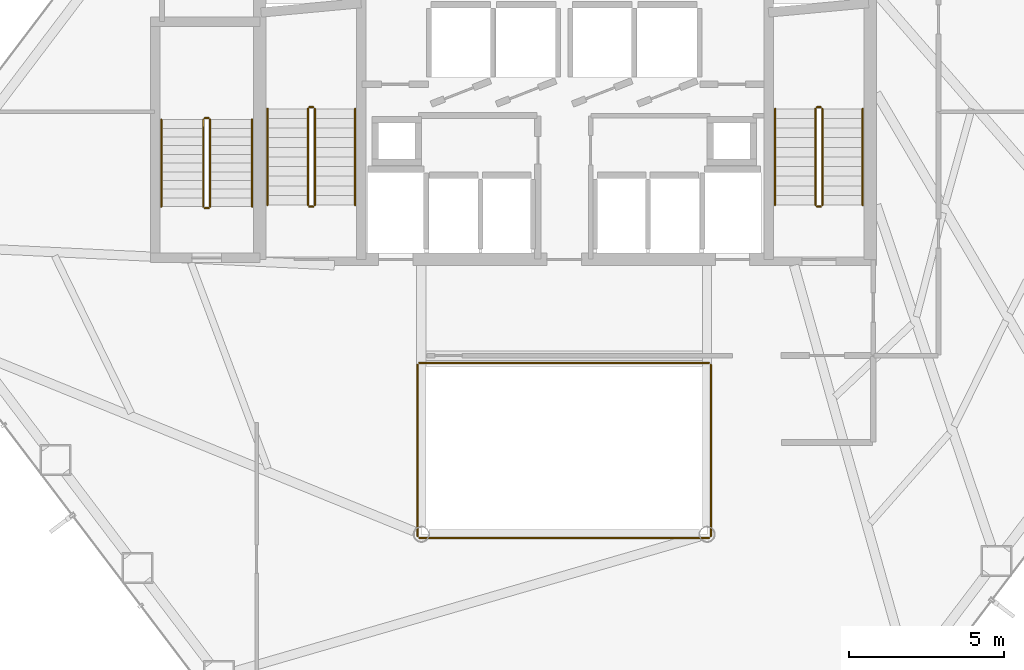
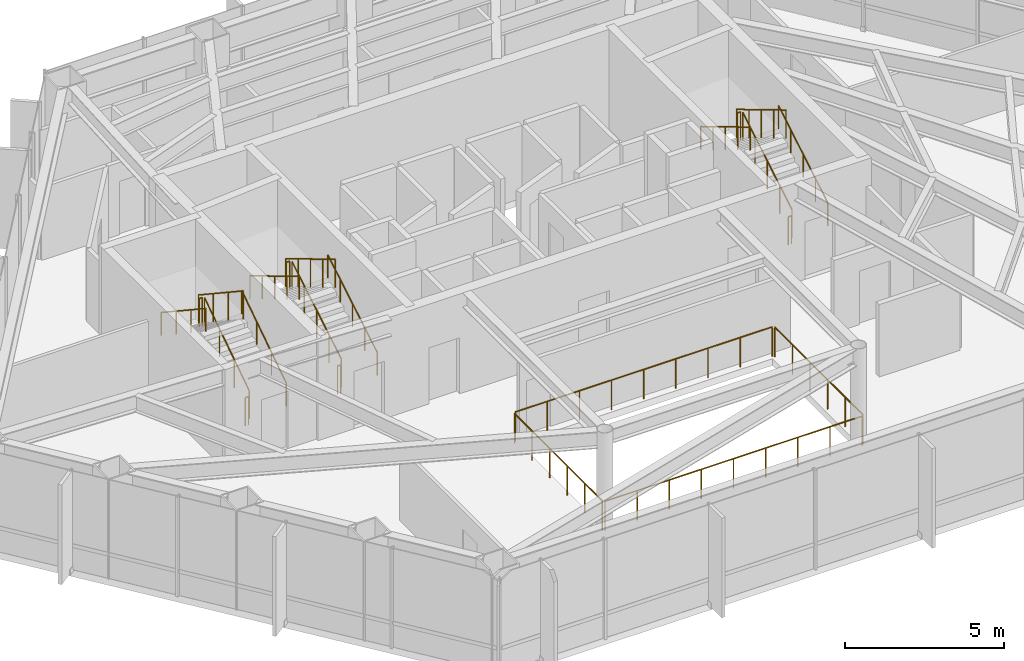
# One storey, part 26 of 26: 22 railings.
"""IFC4 building model written with IfcOpenShell, lengths in metres."""

import ifcopenshell
import ifcopenshell.guid

model = None  # the IFC model being written
_history = None  # IfcOwnerHistory: only IFC2X3 demands one
_inside = {}  # id of a spatial element -> (the spatial element, [elements in it])
_under = {}  # id of a project, library or spatial element -> (it, [spatial elements below it])
_declared = {}  # id of a project -> (the project, [libraries it declares])
_typed = {}  # id of a type object -> (the type object, [elements of that type])
_made_of = {}  # id of a material, layer set ... -> (it, [elements and type objects made of it])


def new_model(schema):
    """Start an empty IFC model of exactly this schema.

    Asked for "IFC4X3", IfcOpenShell would pick the latest addendum, in which some entities
    have other attributes; the version numbers below select the first issue.
    IFC2X3 requires an IfcOwnerHistory on every rooted entity: one is made here for all.
    """
    global model, _history
    if schema == "IFC4X3":
        model = ifcopenshell.file(schema_version=(4, 3, 0, 0))
    else:
        model = ifcopenshell.file(schema=schema)
    _inside.clear()
    _under.clear()
    _declared.clear()
    _typed.clear()
    _made_of.clear()
    _history = None
    if model.schema == "IFC2X3":
        org = make("IfcOrganization", Name="unknown")
        user = make(
            "IfcPersonAndOrganization",
            ThePerson=make("IfcPerson", FamilyName="unknown"),
            TheOrganization=org,
        )
        app = make(
            "IfcApplication",
            ApplicationDeveloper=org,
            Version="unknown",
            ApplicationFullName="unknown",
            ApplicationIdentifier="unknown",
        )
        _history = make(
            "IfcOwnerHistory",
            OwningUser=user,
            OwningApplication=app,
            ChangeAction="ADDED",
            CreationDate=0,
        )
    return model


def make(cls, **values):
    """One entity of the class cls with the attributes given. An attribute that is None is left unset."""
    return model.create_entity(
        cls, **{name: value for name, value in values.items() if value is not None}
    )


def rooted(cls, **values):
    """An entity with a GlobalId (a new one), such as an element, a storey or a relation."""
    return make(cls, GlobalId=ifcopenshell.guid.new(), OwnerHistory=_history, **values)


def si_unit(unit_type, name, prefix=None):
    """IfcSIUnit, for example si_unit("LENGTHUNIT", "METRE", prefix="MILLI")."""
    return make("IfcSIUnit", UnitType=unit_type, Prefix=prefix, Name=name)


def assignment(units):
    """IfcUnitAssignment: the units of a project."""
    return None if units is None else make("IfcUnitAssignment", Units=units)


def point(xyz):
    """IfcCartesianPoint."""
    return None if xyz is None else make("IfcCartesianPoint", Coordinates=xyz)


def direction(xyz):
    """IfcDirection."""
    return None if xyz is None else make("IfcDirection", DirectionRatios=xyz)


def frame(location, z_axis=None, x_axis=None):
    """IfcAxis2Placement3D, a coordinate frame: its origin and axes. An axis left out is left unset."""
    return make(
        "IfcAxis2Placement3D",
        Location=point(location),
        Axis=direction(z_axis),
        RefDirection=direction(x_axis),
    )


def frame_2d(location, x_axis=None):
    """IfcAxis2Placement2D, a coordinate frame in the plane: its origin and x axis."""
    return make(
        "IfcAxis2Placement2D", Location=point(location), RefDirection=direction(x_axis)
    )


def origin():
    """The frame at (0, 0, 0) with its axes left unset."""
    return frame((0.0, 0.0, 0.0))


def origin_2d():
    """The frame at (0, 0) in the plane with its x axis left unset."""
    return frame_2d((0.0, 0.0))


def place(relative_to, where):
    """IfcLocalPlacement: puts the frame where relative to a parent placement (None: the world)."""
    return make(
        "IfcLocalPlacement", PlacementRelTo=relative_to, RelativePlacement=where
    )


def context(
    kind, dimensions, precision=None, world=None, true_north=None, identifier=None
):
    """IfcGeometricRepresentationContext, for example the 3D "Model" context."""
    return make(
        "IfcGeometricRepresentationContext",
        ContextIdentifier=identifier,
        ContextType=kind,
        CoordinateSpaceDimension=dimensions,
        Precision=precision,
        WorldCoordinateSystem=world,
        TrueNorth=true_north,
    )


def subcontext(parent, identifier, kind, view, scale=None):
    """IfcGeometricRepresentationSubContext, for example "Body" below "Model"."""
    return make(
        "IfcGeometricRepresentationSubContext",
        ContextIdentifier=identifier,
        ContextType=kind,
        ParentContext=parent,
        TargetScale=scale,
        TargetView=view,
    )


def project(units=None, contexts=None):
    """IfcProject with its units and contexts."""
    return rooted(
        "IfcProject",
        Name="project",
        RepresentationContexts=contexts,
        UnitsInContext=assignment(units),
    )


def spatial(cls, under=None, at=None, **own):
    """A site, building, storey or space (cls), placed at a placement, below another one or the project."""
    s = rooted(cls, ObjectPlacement=at, **own)
    if under is not None:
        _under.setdefault(under.id(), (under, []))[1].append(s)
    return s


def profile(cls, at=None, kind="AREA", **sizes):
    """A parametric profile (cls). Its sizes go by their IFC names, for example OverallWidth=200.0."""
    return make(cls, ProfileType=kind, Position=at, **sizes)


def circle(**sizes):
    """IfcCircleProfileDef."""
    return profile("IfcCircleProfileDef", **sizes)


def extrude(swept, where, along, depth):
    """IfcExtrudedAreaSolid: the profile swept, set in the frame where, extruded along a direction by depth."""
    return make(
        "IfcExtrudedAreaSolid",
        SweptArea=swept,
        Position=where,
        ExtrudedDirection=direction(along),
        Depth=depth,
    )


def shape(context_of_items, identifier, shape_type, items):
    """IfcShapeRepresentation: the items that make up one representation, for example the "Body"."""
    return make(
        "IfcShapeRepresentation",
        ContextOfItems=context_of_items,
        RepresentationIdentifier=identifier,
        RepresentationType=shape_type,
        Items=items,
    )


def material(Name=None, Category=None):
    """IfcMaterial."""
    return make("IfcMaterial", Name=Name, Category=Category)


def made_of(thing, what):
    """Note that an element or type object is made of a material, layer set ...; save() writes the relation."""
    if what is not None:
        _made_of.setdefault(what.id(), (what, []))[1].append(thing)
    return thing


def type_object(cls, material=None, **own):
    """A type object (cls), such as IfcWallType, which elements share."""
    return made_of(rooted(cls, **own), material)


def element(
    cls,
    number,
    at=None,
    inside=None,
    cuts=None,
    type_object=None,
    material=None,
    context=None,
    identifier="Body",
    shape_type=None,
    held_by="IfcProductDefinitionShape",
    body=None,
    shapes=None,
    **own,
):
    """One element of the class cls, such as IfcWall. Its Tag is "e" and its number.

    at: its placement. inside: the storey or other place that contains it. cuts: it is an
    opening in that element (IfcRelVoidsElement). A single representation is given by context,
    identifier, shape_type and body (its items); several are given by shapes. held_by: the class
    of the entity that holds the representations. save() writes the other relations.
    """
    e = rooted(cls, Tag="e%d" % number, ObjectPlacement=at, **own)
    if body is not None:
        shapes = [shape(context, identifier, shape_type, body)]
    if shapes is not None:
        e.Representation = make(held_by, Representations=shapes)
    if inside is not None:
        _inside.setdefault(inside.id(), (inside, []))[1].append(e)
    if cuts is not None:
        rooted(
            "IfcRelVoidsElement", RelatingBuildingElement=cuts, RelatedOpeningElement=e
        )
    if type_object is not None:
        _typed.setdefault(type_object.id(), (type_object, []))[1].append(e)
    return made_of(e, material)


def aggregate(whole, parts):
    """IfcRelAggregates: a whole, such as a stair, and the parts it consists of."""
    return rooted("IfcRelAggregates", RelatingObject=whole, RelatedObjects=parts)


def save(model, path):
    """Write the relations noted so far, then the file.

    IfcRelAggregates (storeys below a building ...), IfcRelContainedInSpatialStructure (elements
    in a storey), IfcRelDefinesByType, IfcRelAssociatesMaterial and IfcRelDeclares: one each for
    every whole, place, type object, material and project.
    """
    for whole, parts in _under.values():
        aggregate(whole, parts)
    for where, things in _inside.values():
        rooted(
            "IfcRelContainedInSpatialStructure",
            RelatedElements=things,
            RelatingStructure=where,
        )
    for kind, things in _typed.values():
        rooted("IfcRelDefinesByType", RelatedObjects=things, RelatingType=kind)
    for what, things in _made_of.values():
        rooted("IfcRelAssociatesMaterial", RelatedObjects=things, RelatingMaterial=what)
    for by, libraries in _declared.values():
        rooted("IfcRelDeclares", RelatingContext=by, RelatedDefinitions=libraries)
    model.write(path)


model = new_model("IFC4")

# Units and contexts
model_context = context("Model", 3, precision=1e-05, world=origin(), true_north=direction((0.0, 1.0)))
body_context = subcontext(model_context, "Body", "Model", "MODEL_VIEW")
ifc_project = project(units=[si_unit("LENGTHUNIT", "METRE"), si_unit("AREAUNIT", "SQUARE_METRE"), si_unit("VOLUMEUNIT", "CUBIC_METRE"), si_unit("PLANEANGLEUNIT", "RADIAN"), si_unit("MASSUNIT", "GRAM", prefix="KILO")], contexts=[model_context])

# Site, building, storey
site_placement = place(None, origin())
site = spatial("IfcSite", under=ifc_project, at=site_placement, CompositionType="ELEMENT")
building_placement = place(site_placement, origin())
building = spatial("IfcBuilding", under=site, at=building_placement, Name="Zarrinselat Tower", CompositionType="ELEMENT")
storey_placement = place(building_placement, frame((0.0, 0.0, 31.6201171875)))
storey = spatial("IfcBuildingStorey", under=building, at=storey_placement, Name="L07", CompositionType="ELEMENT", Elevation=31.6201171875)

# Railings
ifc_material_1 = material(Name="Double Low-E Laminated Solar Glass", Category="glass")
railing_type_1 = type_object("IfcRailingType", Name="RLG-ATRIUM-BAL", PredefinedType="BALUSTRADE", material=ifc_material_1)
railing_1_placement = place(storey_placement, frame((33.739990234375, 24.280029296875, 0.0)))
element("IfcRailing", 1, at=railing_1_placement, inside=storey, type_object=railing_type_1, Name="L07 Atrium Void Glass Balustrade S", PredefinedType="BALUSTRADE", context=body_context, shape_type="SweptSolid", body=[
    extrude(circle(Radius=0.02392578125, at=origin_2d()), frame((0.0, 0.0, 1.1259765625), z_axis=(1.0, 0.0, 0.0), x_axis=(0.0, 1.0, 0.0)), (0.0, 0.0, 1.0), 9.320068359375),
    extrude(circle(Radius=0.02099609375, at=origin_2d()), origin(), (0.0, 0.0, 1.0), 1.099853515625),
    extrude(circle(Radius=0.02099609375, at=origin_2d()), frame((1.1650390625, 0.0, 0.0)), (0.0, 0.0, 1.0), 1.099853515625),
    extrude(circle(Radius=0.02099609375, at=origin_2d()), frame((2.330078125, 0.0, 0.0)), (0.0, 0.0, 1.0), 1.099853515625),
    extrude(circle(Radius=0.02099609375, at=origin_2d()), frame((3.4951171875, 0.0, 0.0)), (0.0, 0.0, 1.0), 1.099853515625),
    extrude(circle(Radius=0.02099609375, at=origin_2d()), frame((4.66015625, 0.0, 0.0)), (0.0, 0.0, 1.0), 1.099853515625),
    extrude(circle(Radius=0.02099609375, at=origin_2d()), frame((5.824951171875, 0.0, 0.0)), (0.0, 0.0, 1.0), 1.099853515625),
    extrude(circle(Radius=0.02099609375, at=origin_2d()), frame((6.989990234375, 0.0, 0.0)), (0.0, 0.0, 1.0), 1.099853515625),
    extrude(circle(Radius=0.02099609375, at=origin_2d()), frame((8.155029296875, 0.0, 0.0)), (0.0, 0.0, 1.0), 1.099853515625),
    extrude(circle(Radius=0.02099609375, at=origin_2d()), frame((9.320068359375, 0.0, 0.0)), (0.0, 0.0, 1.0), 1.099853515625),
])
railing_2_placement = place(storey_placement, frame((43.1201171875, 24.340087890625, 0.0)))
element("IfcRailing", 2, at=railing_2_placement, inside=storey, type_object=railing_type_1, Name="L07 Atrium Void Glass Balustrade E", PredefinedType="BALUSTRADE", context=body_context, shape_type="SweptSolid", body=[
    extrude(circle(Radius=0.02392578125, at=origin_2d()), frame((0.0, 0.0, 1.1259765625), z_axis=(0.0, 1.0, 0.0), x_axis=(-1.0, 0.0, 0.0)), (0.0, 0.0, 1.0), 5.52001953125),
    extrude(circle(Radius=0.02099609375, at=origin_2d()), origin(), (0.0, 0.0, 1.0), 1.099853515625),
    extrude(circle(Radius=0.02099609375, at=origin_2d()), frame((0.0, 1.10400390625, 0.0)), (0.0, 0.0, 1.0), 1.099853515625),
    extrude(circle(Radius=0.02099609375, at=origin_2d()), frame((0.0, 2.2080078125, 0.0)), (0.0, 0.0, 1.0), 1.099853515625),
    extrude(circle(Radius=0.02099609375, at=origin_2d()), frame((0.0, 3.31201171875, 0.0)), (0.0, 0.0, 1.0), 1.099853515625),
    extrude(circle(Radius=0.02099609375, at=origin_2d()), frame((0.0, 4.416015625, 0.0)), (0.0, 0.0, 1.0), 1.099853515625),
    extrude(circle(Radius=0.02099609375, at=origin_2d()), frame((0.0, 5.52001953125, 0.0)), (0.0, 0.0, 1.0), 1.099853515625),
])
railing_3_placement = place(storey_placement, frame((43.06005859375, 29.919921875, 0.0)))
element("IfcRailing", 3, at=railing_3_placement, inside=storey, type_object=railing_type_1, Name="L07 Atrium Void Glass Balustrade N", PredefinedType="BALUSTRADE", context=body_context, shape_type="SweptSolid", body=[
    extrude(circle(Radius=0.02392578125, at=origin_2d()), frame((0.0, 0.0, 1.1259765625), z_axis=(-1.0, 0.0, 0.0), x_axis=(0.0, -1.0, 0.0)), (0.0, 0.0, 1.0), 9.320068359375),
    extrude(circle(Radius=0.02099609375, at=origin_2d()), origin(), (0.0, 0.0, 1.0), 1.099853515625),
    extrude(circle(Radius=0.02099609375, at=origin_2d()), frame((-1.1650390625, 0.0, 0.0)), (0.0, 0.0, 1.0), 1.099853515625),
    extrude(circle(Radius=0.02099609375, at=origin_2d()), frame((-2.330078125, 0.0, 0.0)), (0.0, 0.0, 1.0), 1.099853515625),
    extrude(circle(Radius=0.02099609375, at=origin_2d()), frame((-3.4951171875, 0.0, 0.0)), (0.0, 0.0, 1.0), 1.099853515625),
    extrude(circle(Radius=0.02099609375, at=origin_2d()), frame((-4.66015625, 0.0, 0.0)), (0.0, 0.0, 1.0), 1.099853515625),
    extrude(circle(Radius=0.02099609375, at=origin_2d()), frame((-5.824951171875, 0.0, 0.0)), (0.0, 0.0, 1.0), 1.099853515625),
    extrude(circle(Radius=0.02099609375, at=origin_2d()), frame((-6.989990234375, 0.0, 0.0)), (0.0, 0.0, 1.0), 1.099853515625),
    extrude(circle(Radius=0.02099609375, at=origin_2d()), frame((-8.155029296875, 0.0, 0.0)), (0.0, 0.0, 1.0), 1.099853515625),
    extrude(circle(Radius=0.02099609375, at=origin_2d()), frame((-9.320068359375, 0.0, 0.0)), (0.0, 0.0, 1.0), 1.099853515625),
])
railing_4_placement = place(storey_placement, frame((33.679931640625, 29.860107421875, 0.0)))
element("IfcRailing", 4, at=railing_4_placement, inside=storey, type_object=railing_type_1, Name="L07 Atrium Void Glass Balustrade W", PredefinedType="BALUSTRADE", context=body_context, shape_type="SweptSolid", body=[
    extrude(circle(Radius=0.02392578125, at=origin_2d()), frame((0.0, 0.0, 1.1259765625), z_axis=(0.0, -1.0, 0.0), x_axis=(1.0, 0.0, 0.0)), (0.0, 0.0, 1.0), 5.52001953125),
    extrude(circle(Radius=0.02099609375, at=origin_2d()), origin(), (0.0, 0.0, 1.0), 1.099853515625),
    extrude(circle(Radius=0.02099609375, at=origin_2d()), frame((0.0, -1.10400390625, 0.0)), (0.0, 0.0, 1.0), 1.099853515625),
    extrude(circle(Radius=0.02099609375, at=origin_2d()), frame((0.0, -2.2080078125, 0.0)), (0.0, 0.0, 1.0), 1.099853515625),
    extrude(circle(Radius=0.02099609375, at=origin_2d()), frame((0.0, -3.31201171875, 0.0)), (0.0, 0.0, 1.0), 1.099853515625),
    extrude(circle(Radius=0.02099609375, at=origin_2d()), frame((0.0, -4.416015625, 0.0)), (0.0, 0.0, 1.0), 1.099853515625),
    extrude(circle(Radius=0.02099609375, at=origin_2d()), frame((0.0, -5.52001953125, 0.0)), (0.0, 0.0, 1.0), 1.099853515625),
])
ifc_material_2 = material(Name="Steel S355J2", Category="steel")
railing_type_2 = type_object("IfcRailingType", Name="RLG-STAIR-GUARD", PredefinedType="GUARDRAIL", material=ifc_material_2)
railing_5_placement = place(storey_placement, frame((30.3701171875, 35.0, 0.185302734375)))
element("IfcRailing", 5, at=railing_5_placement, inside=storey, type_object=railing_type_2, Name="L07 ST-1 stair guard 1", PredefinedType="GUARDRAIL", context=body_context, shape_type="SweptSolid", body=[
    extrude(circle(Radius=0.02392578125, at=origin_2d()), frame((0.0, 0.0, 1.076171875), z_axis=(0.0, 0.858171985069, 0.513362293163), x_axis=(-1.0, 0.0, 0.0)), (0.0, 0.0, 1.0), 3.612548828125),
    extrude(circle(Radius=0.02099609375, at=origin_2d()), origin(), (0.0, 0.0, 1.0), 1.050048828125),
    extrude(circle(Radius=0.02099609375, at=origin_2d()), frame((0.0, 0.77490234375, 0.463623046875)), (0.0, 0.0, 1.0), 1.050048828125),
    extrude(circle(Radius=0.02099609375, at=origin_2d()), frame((0.0, 1.550048828125, 0.92724609375)), (0.0, 0.0, 1.0), 1.050048828125),
    extrude(circle(Radius=0.02099609375, at=origin_2d()), frame((0.0, 2.3251953125, 1.390869140625)), (0.0, 0.0, 1.0), 1.050048828125),
    extrude(circle(Radius=0.02099609375, at=origin_2d()), frame((0.0, 3.10009765625, 1.8544921875)), (0.0, 0.0, 1.0), 1.050048828125),
])
railing_6_placement = place(storey_placement, frame((30.320068359375, 38.14990234375, 2.039794921875)))
element("IfcRailing", 6, at=railing_6_placement, inside=storey, type_object=railing_type_2, Name="L07 ST-1 stair guard 2", PredefinedType="GUARDRAIL", context=body_context, shape_type="SweptSolid", body=[
    extrude(circle(Radius=0.02392578125, at=origin_2d()), frame((0.0, 0.0, 1.076171875), z_axis=(-1.0, 0.0, 0.0), x_axis=(0.0, -1.0, 0.0)), (0.0, 0.0, 1.0), 0.1201171875),
    extrude(circle(Radius=0.02099609375, at=origin_2d()), origin(), (0.0, 0.0, 1.0), 1.050048828125),
    extrude(circle(Radius=0.02099609375, at=origin_2d()), frame((-0.1201171875, 0.0, 0.0)), (0.0, 0.0, 1.0), 1.050048828125),
])
railing_7_placement = place(storey_placement, frame((30.14990234375, 38.10009765625, 2.225341796875)))
element("IfcRailing", 7, at=railing_7_placement, inside=storey, type_object=railing_type_2, Name="L07 ST-1 stair guard 3", PredefinedType="GUARDRAIL", context=body_context, shape_type="SweptSolid", body=[
    extrude(circle(Radius=0.02392578125, at=origin_2d()), frame((0.0, 0.0, 1.076171875), z_axis=(0.0, -0.858171985069, 0.513362293163), x_axis=(1.0, 0.0, 0.0)), (0.0, 0.0, 1.0), 3.612548828125),
    extrude(circle(Radius=0.02099609375, at=origin_2d()), origin(), (0.0, 0.0, 1.0), 1.050048828125),
    extrude(circle(Radius=0.02099609375, at=origin_2d()), frame((0.0, -0.77490234375, 0.463623046875)), (0.0, 0.0, 1.0), 1.050048828125),
    extrude(circle(Radius=0.02099609375, at=origin_2d()), frame((0.0, -1.550048828125, 0.92724609375)), (0.0, 0.0, 1.0), 1.050048828125),
    extrude(circle(Radius=0.02099609375, at=origin_2d()), frame((0.0, -2.3251953125, 1.390869140625)), (0.0, 0.0, 1.0), 1.050048828125),
    extrude(circle(Radius=0.02099609375, at=origin_2d()), frame((0.0, -3.10009765625, 1.8544921875)), (0.0, 0.0, 1.0), 1.050048828125),
])
railing_8_placement = place(storey_placement, frame((30.320068359375, 34.949951171875, 0.0)))
element("IfcRailing", 8, at=railing_8_placement, inside=storey, type_object=railing_type_2, Name="L07 ST-1 stair guard 4", PredefinedType="GUARDRAIL", context=body_context, shape_type="SweptSolid", body=[
    extrude(circle(Radius=0.02392578125, at=origin_2d()), frame((0.0, 0.0, 1.076171875), z_axis=(-1.0, 0.0, 0.0), x_axis=(0.0, -1.0, 0.0)), (0.0, 0.0, 1.0), 0.1201171875),
    extrude(circle(Radius=0.02099609375, at=origin_2d()), origin(), (0.0, 0.0, 1.0), 1.050048828125),
    extrude(circle(Radius=0.02099609375, at=origin_2d()), frame((-0.1201171875, 0.0, 0.0)), (0.0, 0.0, 1.0), 1.050048828125),
])
railing_9_placement = place(storey_placement, frame((46.7099609375, 35.0, 0.185302734375)))
element("IfcRailing", 9, at=railing_9_placement, inside=storey, type_object=railing_type_2, Name="L07 ST-2 stair guard 1", PredefinedType="GUARDRAIL", context=body_context, shape_type="SweptSolid", body=[
    extrude(circle(Radius=0.02392578125, at=origin_2d()), frame((0.0, 0.0, 1.076171875), z_axis=(0.0, 0.858171985069, 0.513362293163), x_axis=(-1.0, 0.0, 0.0)), (0.0, 0.0, 1.0), 3.612548828125),
    extrude(circle(Radius=0.02099609375, at=origin_2d()), origin(), (0.0, 0.0, 1.0), 1.050048828125),
    extrude(circle(Radius=0.02099609375, at=origin_2d()), frame((0.0, 0.77490234375, 0.463623046875)), (0.0, 0.0, 1.0), 1.050048828125),
    extrude(circle(Radius=0.02099609375, at=origin_2d()), frame((0.0, 1.550048828125, 0.92724609375)), (0.0, 0.0, 1.0), 1.050048828125),
    extrude(circle(Radius=0.02099609375, at=origin_2d()), frame((0.0, 2.3251953125, 1.390869140625)), (0.0, 0.0, 1.0), 1.050048828125),
    extrude(circle(Radius=0.02099609375, at=origin_2d()), frame((0.0, 3.10009765625, 1.8544921875)), (0.0, 0.0, 1.0), 1.050048828125),
])
railing_10_placement = place(storey_placement, frame((46.659912109375, 38.14990234375, 2.039794921875)))
element("IfcRailing", 10, at=railing_10_placement, inside=storey, type_object=railing_type_2, Name="L07 ST-2 stair guard 2", PredefinedType="GUARDRAIL", context=body_context, shape_type="SweptSolid", body=[
    extrude(circle(Radius=0.02392578125, at=origin_2d()), frame((0.0, 0.0, 1.076171875), z_axis=(-1.0, 0.0, 0.0), x_axis=(0.0, -1.0, 0.0)), (0.0, 0.0, 1.0), 0.119873046875),
    extrude(circle(Radius=0.02099609375, at=origin_2d()), origin(), (0.0, 0.0, 1.0), 1.050048828125),
    extrude(circle(Radius=0.02099609375, at=origin_2d()), frame((-0.119873046875, 0.0, 0.0)), (0.0, 0.0, 1.0), 1.050048828125),
])
railing_11_placement = place(storey_placement, frame((46.489990234375, 38.10009765625, 2.225341796875)))
element("IfcRailing", 11, at=railing_11_placement, inside=storey, type_object=railing_type_2, Name="L07 ST-2 stair guard 3", PredefinedType="GUARDRAIL", context=body_context, shape_type="SweptSolid", body=[
    extrude(circle(Radius=0.02392578125, at=origin_2d()), frame((0.0, 0.0, 1.076171875), z_axis=(0.0, -0.858171985069, 0.513362293163), x_axis=(1.0, 0.0, 0.0)), (0.0, 0.0, 1.0), 3.612548828125),
    extrude(circle(Radius=0.02099609375, at=origin_2d()), origin(), (0.0, 0.0, 1.0), 1.050048828125),
    extrude(circle(Radius=0.02099609375, at=origin_2d()), frame((0.0, -0.77490234375, 0.463623046875)), (0.0, 0.0, 1.0), 1.050048828125),
    extrude(circle(Radius=0.02099609375, at=origin_2d()), frame((0.0, -1.550048828125, 0.92724609375)), (0.0, 0.0, 1.0), 1.050048828125),
    extrude(circle(Radius=0.02099609375, at=origin_2d()), frame((0.0, -2.3251953125, 1.390869140625)), (0.0, 0.0, 1.0), 1.050048828125),
    extrude(circle(Radius=0.02099609375, at=origin_2d()), frame((0.0, -3.10009765625, 1.8544921875)), (0.0, 0.0, 1.0), 1.050048828125),
])
railing_12_placement = place(storey_placement, frame((46.659912109375, 34.949951171875, 0.0)))
element("IfcRailing", 12, at=railing_12_placement, inside=storey, type_object=railing_type_2, Name="L07 ST-2 stair guard 4", PredefinedType="GUARDRAIL", context=body_context, shape_type="SweptSolid", body=[
    extrude(circle(Radius=0.02392578125, at=origin_2d()), frame((0.0, 0.0, 1.076171875), z_axis=(-1.0, 0.0, 0.0), x_axis=(0.0, -1.0, 0.0)), (0.0, 0.0, 1.0), 0.119873046875),
    extrude(circle(Radius=0.02099609375, at=origin_2d()), origin(), (0.0, 0.0, 1.0), 1.050048828125),
    extrude(circle(Radius=0.02099609375, at=origin_2d()), frame((-0.119873046875, 0.0, 0.0)), (0.0, 0.0, 1.0), 1.050048828125),
])
railing_13_placement = place(storey_placement, frame((27.0, 34.949951171875, 0.185302734375)))
element("IfcRailing", 13, at=railing_13_placement, inside=storey, type_object=railing_type_2, Name="L07 ST-3 stair guard 1", PredefinedType="GUARDRAIL", context=body_context, shape_type="SweptSolid", body=[
    extrude(circle(Radius=0.02392578125, at=origin_2d()), frame((0.0, 0.0, 1.076171875), z_axis=(0.0, 0.833724036255, 0.552181339209), x_axis=(-1.0, 0.0, 0.0)), (0.0, 0.0, 1.0), 3.3583984375),
    extrude(circle(Radius=0.02099609375, at=origin_2d()), origin(), (0.0, 0.0, 1.0), 1.050048828125),
    extrude(circle(Radius=0.02099609375, at=origin_2d()), frame((0.0, 0.933349609375, 0.6181640625)), (0.0, 0.0, 1.0), 1.050048828125),
    extrude(circle(Radius=0.02099609375, at=origin_2d()), frame((0.0, 1.86669921875, 1.236328125)), (0.0, 0.0, 1.0), 1.050048828125),
    extrude(circle(Radius=0.02099609375, at=origin_2d()), frame((0.0, 2.800048828125, 1.8544921875)), (0.0, 0.0, 1.0), 1.050048828125),
])
railing_14_placement = place(storey_placement, frame((26.949951171875, 37.800048828125, 2.039794921875)))
element("IfcRailing", 14, at=railing_14_placement, inside=storey, type_object=railing_type_2, Name="L07 ST-3 stair guard 2", PredefinedType="GUARDRAIL", context=body_context, shape_type="SweptSolid", body=[
    extrude(circle(Radius=0.02392578125, at=origin_2d()), frame((0.0, 0.0, 1.076171875), z_axis=(-1.0, 0.0, 0.0), x_axis=(0.0, -1.0, 0.0)), (0.0, 0.0, 1.0), 0.119873046875),
    extrude(circle(Radius=0.02099609375, at=origin_2d()), origin(), (0.0, 0.0, 1.0), 1.050048828125),
    extrude(circle(Radius=0.02099609375, at=origin_2d()), frame((-0.119873046875, 0.0, 0.0)), (0.0, 0.0, 1.0), 1.050048828125),
])
railing_15_placement = place(storey_placement, frame((26.780029296875, 37.75, 2.225341796875)))
element("IfcRailing", 15, at=railing_15_placement, inside=storey, type_object=railing_type_2, Name="L07 ST-3 stair guard 3", PredefinedType="GUARDRAIL", context=body_context, shape_type="SweptSolid", body=[
    extrude(circle(Radius=0.02392578125, at=origin_2d()), frame((0.0, 0.0, 1.076171875), z_axis=(0.0, -0.833724036255, 0.552181339209), x_axis=(1.0, 0.0, 0.0)), (0.0, 0.0, 1.0), 3.3583984375),
    extrude(circle(Radius=0.02099609375, at=origin_2d()), origin(), (0.0, 0.0, 1.0), 1.050048828125),
    extrude(circle(Radius=0.02099609375, at=origin_2d()), frame((0.0, -0.933349609375, 0.6181640625)), (0.0, 0.0, 1.0), 1.050048828125),
    extrude(circle(Radius=0.02099609375, at=origin_2d()), frame((0.0, -1.86669921875, 1.236328125)), (0.0, 0.0, 1.0), 1.050048828125),
    extrude(circle(Radius=0.02099609375, at=origin_2d()), frame((0.0, -2.800048828125, 1.8544921875)), (0.0, 0.0, 1.0), 1.050048828125),
])
railing_16_placement = place(storey_placement, frame((26.949951171875, 34.89990234375, 0.0)))
element("IfcRailing", 16, at=railing_16_placement, inside=storey, type_object=railing_type_2, Name="L07 ST-3 stair guard 4", PredefinedType="GUARDRAIL", context=body_context, shape_type="SweptSolid", body=[
    extrude(circle(Radius=0.02392578125, at=origin_2d()), frame((0.0, 0.0, 1.076171875), z_axis=(-1.0, 0.0, 0.0), x_axis=(0.0, -1.0, 0.0)), (0.0, 0.0, 1.0), 0.119873046875),
    extrude(circle(Radius=0.02099609375, at=origin_2d()), origin(), (0.0, 0.0, 1.0), 1.050048828125),
    extrude(circle(Radius=0.02099609375, at=origin_2d()), frame((-0.119873046875, 0.0, 0.0)), (0.0, 0.0, 1.0), 1.050048828125),
])
ifc_material_3 = material(Name="Steel S355J2", Category="steel")
railing_type_3 = type_object("IfcRailingType", Name="RLG-STAIR-HAND", PredefinedType="HANDRAIL", material=ifc_material_3)
railing_17_placement = place(storey_placement, frame((31.669921875, 35.0, 0.185302734375)))
element("IfcRailing", 17, at=railing_17_placement, inside=storey, type_object=railing_type_3, Name="L07 ST-1 stair handrail 1", PredefinedType="HANDRAIL", context=body_context, shape_type="SweptSolid", body=[
    extrude(circle(Radius=0.02392578125, at=origin_2d()), frame((0.0, 0.0, 0.8759765625), z_axis=(0.0, 0.858171985069, 0.513362293163), x_axis=(-1.0, 0.0, 0.0)), (0.0, 0.0, 1.0), 3.612548828125),
    extrude(circle(Radius=0.02099609375, at=origin_2d()), origin(), (0.0, 0.0, 1.0), 0.849853515625),
    extrude(circle(Radius=0.02099609375, at=origin_2d()), frame((0.0, 0.77490234375, 0.463623046875)), (0.0, 0.0, 1.0), 0.849853515625),
    extrude(circle(Radius=0.02099609375, at=origin_2d()), frame((0.0, 1.550048828125, 0.92724609375)), (0.0, 0.0, 1.0), 0.849853515625),
    extrude(circle(Radius=0.02099609375, at=origin_2d()), frame((0.0, 2.3251953125, 1.390869140625)), (0.0, 0.0, 1.0), 0.849853515625),
    extrude(circle(Radius=0.02099609375, at=origin_2d()), frame((0.0, 3.10009765625, 1.8544921875)), (0.0, 0.0, 1.0), 0.849853515625),
])
railing_18_placement = place(storey_placement, frame((28.85009765625, 38.10009765625, 2.225341796875)))
element("IfcRailing", 18, at=railing_18_placement, inside=storey, type_object=railing_type_3, Name="L07 ST-1 stair handrail 2", PredefinedType="HANDRAIL", context=body_context, shape_type="SweptSolid", body=[
    extrude(circle(Radius=0.02392578125, at=origin_2d()), frame((0.0, 0.0, 0.8759765625), z_axis=(0.0, -0.858171985069, 0.513362293163), x_axis=(1.0, 0.0, 0.0)), (0.0, 0.0, 1.0), 3.612548828125),
    extrude(circle(Radius=0.02099609375, at=origin_2d()), origin(), (0.0, 0.0, 1.0), 0.849853515625),
    extrude(circle(Radius=0.02099609375, at=origin_2d()), frame((0.0, -0.77490234375, 0.463623046875)), (0.0, 0.0, 1.0), 0.849853515625),
    extrude(circle(Radius=0.02099609375, at=origin_2d()), frame((0.0, -1.550048828125, 0.92724609375)), (0.0, 0.0, 1.0), 0.849853515625),
    extrude(circle(Radius=0.02099609375, at=origin_2d()), frame((0.0, -2.3251953125, 1.390869140625)), (0.0, 0.0, 1.0), 0.849853515625),
    extrude(circle(Radius=0.02099609375, at=origin_2d()), frame((0.0, -3.10009765625, 1.8544921875)), (0.0, 0.0, 1.0), 0.849853515625),
])
railing_19_placement = place(storey_placement, frame((48.010009765625, 35.0, 0.185302734375)))
element("IfcRailing", 19, at=railing_19_placement, inside=storey, type_object=railing_type_3, Name="L07 ST-2 stair handrail 1", PredefinedType="HANDRAIL", context=body_context, shape_type="SweptSolid", body=[
    extrude(circle(Radius=0.02392578125, at=origin_2d()), frame((0.0, 0.0, 0.8759765625), z_axis=(0.0, 0.858171985069, 0.513362293163), x_axis=(-1.0, 0.0, 0.0)), (0.0, 0.0, 1.0), 3.612548828125),
    extrude(circle(Radius=0.02099609375, at=origin_2d()), origin(), (0.0, 0.0, 1.0), 0.849853515625),
    extrude(circle(Radius=0.02099609375, at=origin_2d()), frame((0.0, 0.77490234375, 0.463623046875)), (0.0, 0.0, 1.0), 0.849853515625),
    extrude(circle(Radius=0.02099609375, at=origin_2d()), frame((0.0, 1.550048828125, 0.92724609375)), (0.0, 0.0, 1.0), 0.849853515625),
    extrude(circle(Radius=0.02099609375, at=origin_2d()), frame((0.0, 2.3251953125, 1.390869140625)), (0.0, 0.0, 1.0), 0.849853515625),
    extrude(circle(Radius=0.02099609375, at=origin_2d()), frame((0.0, 3.10009765625, 1.8544921875)), (0.0, 0.0, 1.0), 0.849853515625),
])
railing_20_placement = place(storey_placement, frame((45.18994140625, 38.10009765625, 2.225341796875)))
element("IfcRailing", 20, at=railing_20_placement, inside=storey, type_object=railing_type_3, Name="L07 ST-2 stair handrail 2", PredefinedType="HANDRAIL", context=body_context, shape_type="SweptSolid", body=[
    extrude(circle(Radius=0.02392578125, at=origin_2d()), frame((0.0, 0.0, 0.8759765625), z_axis=(0.0, -0.858171985069, 0.513362293163), x_axis=(1.0, 0.0, 0.0)), (0.0, 0.0, 1.0), 3.612548828125),
    extrude(circle(Radius=0.02099609375, at=origin_2d()), origin(), (0.0, 0.0, 1.0), 0.849853515625),
    extrude(circle(Radius=0.02099609375, at=origin_2d()), frame((0.0, -0.77490234375, 0.463623046875)), (0.0, 0.0, 1.0), 0.849853515625),
    extrude(circle(Radius=0.02099609375, at=origin_2d()), frame((0.0, -1.550048828125, 0.92724609375)), (0.0, 0.0, 1.0), 0.849853515625),
    extrude(circle(Radius=0.02099609375, at=origin_2d()), frame((0.0, -2.3251953125, 1.390869140625)), (0.0, 0.0, 1.0), 0.849853515625),
    extrude(circle(Radius=0.02099609375, at=origin_2d()), frame((0.0, -3.10009765625, 1.8544921875)), (0.0, 0.0, 1.0), 0.849853515625),
])
railing_21_placement = place(storey_placement, frame((28.35009765625, 34.949951171875, 0.185302734375)))
element("IfcRailing", 21, at=railing_21_placement, inside=storey, type_object=railing_type_3, Name="L07 ST-3 stair handrail 1", PredefinedType="HANDRAIL", context=body_context, shape_type="SweptSolid", body=[
    extrude(circle(Radius=0.02392578125, at=origin_2d()), frame((0.0, 0.0, 0.8759765625), z_axis=(0.0, 0.833724036255, 0.552181339209), x_axis=(-1.0, 0.0, 0.0)), (0.0, 0.0, 1.0), 3.3583984375),
    extrude(circle(Radius=0.02099609375, at=origin_2d()), origin(), (0.0, 0.0, 1.0), 0.849853515625),
    extrude(circle(Radius=0.02099609375, at=origin_2d()), frame((0.0, 0.933349609375, 0.6181640625)), (0.0, 0.0, 1.0), 0.849853515625),
    extrude(circle(Radius=0.02099609375, at=origin_2d()), frame((0.0, 1.86669921875, 1.236328125)), (0.0, 0.0, 1.0), 0.849853515625),
    extrude(circle(Radius=0.02099609375, at=origin_2d()), frame((0.0, 2.800048828125, 1.8544921875)), (0.0, 0.0, 1.0), 0.849853515625),
])
railing_22_placement = place(storey_placement, frame((25.429931640625, 37.75, 2.225341796875)))
element("IfcRailing", 22, at=railing_22_placement, inside=storey, type_object=railing_type_3, Name="L07 ST-3 stair handrail 2", PredefinedType="HANDRAIL", context=body_context, shape_type="SweptSolid", body=[
    extrude(circle(Radius=0.02392578125, at=origin_2d()), frame((0.0, 0.0, 0.8759765625), z_axis=(0.0, -0.833724036255, 0.552181339209), x_axis=(1.0, 0.0, 0.0)), (0.0, 0.0, 1.0), 3.3583984375),
    extrude(circle(Radius=0.02099609375, at=origin_2d()), origin(), (0.0, 0.0, 1.0), 0.849853515625),
    extrude(circle(Radius=0.02099609375, at=origin_2d()), frame((0.0, -0.933349609375, 0.6181640625)), (0.0, 0.0, 1.0), 0.849853515625),
    extrude(circle(Radius=0.02099609375, at=origin_2d()), frame((0.0, -1.86669921875, 1.236328125)), (0.0, 0.0, 1.0), 0.849853515625),
    extrude(circle(Radius=0.02099609375, at=origin_2d()), frame((0.0, -2.800048828125, 1.8544921875)), (0.0, 0.0, 1.0), 0.849853515625),
])

save(model, "model.ifc")
